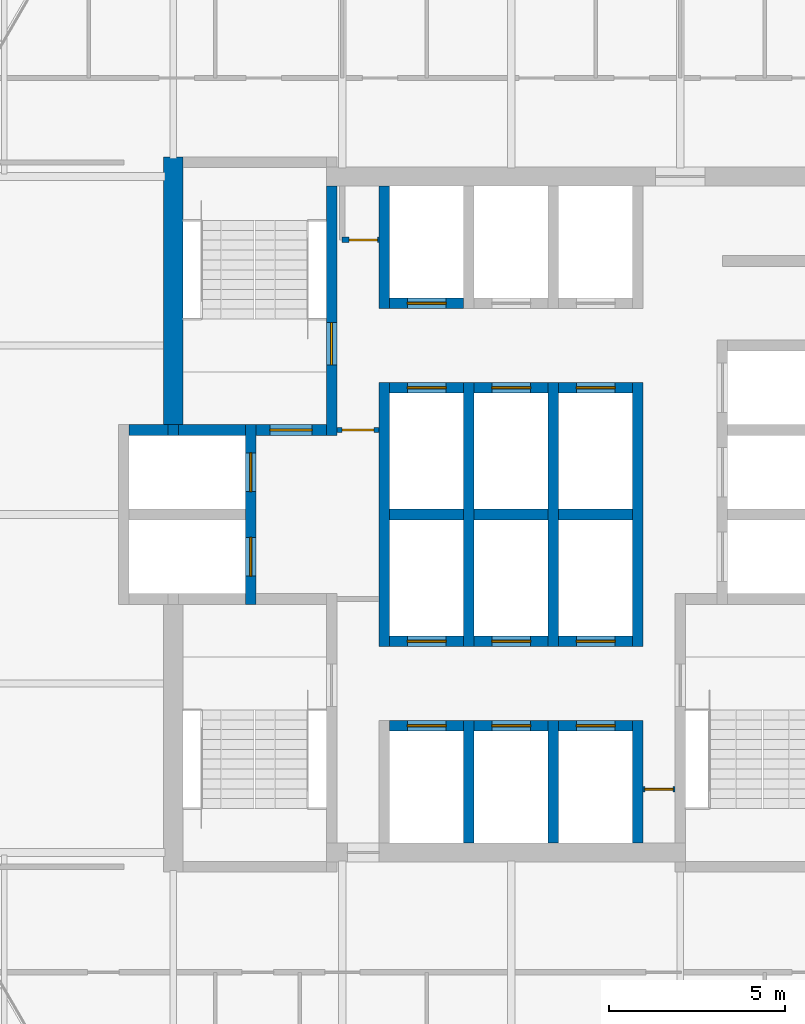
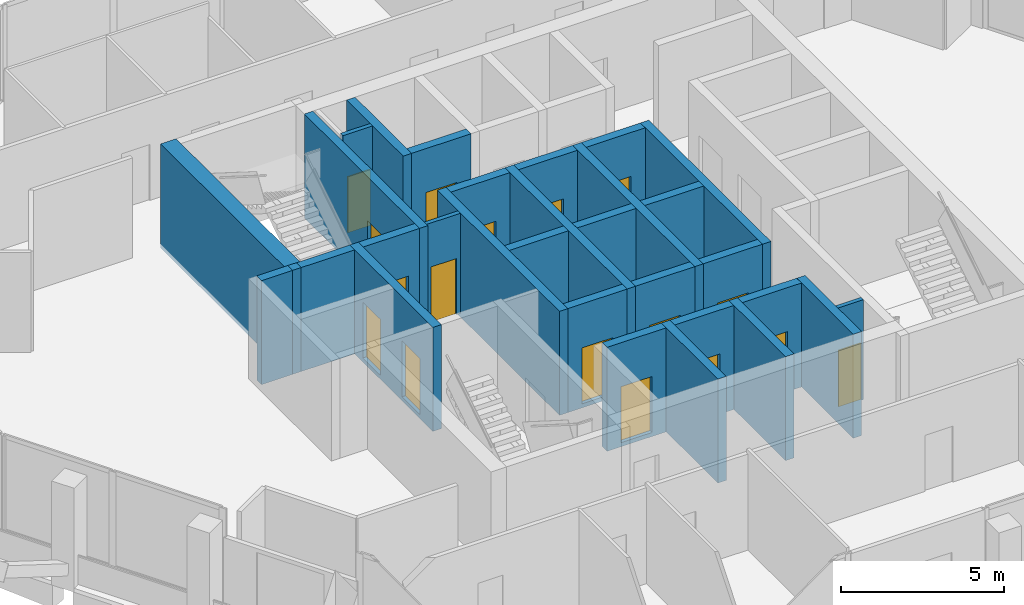
# One storey, part 8 of 14: 31 walls, 17 doors, 17 openings.
"""IFC4 building model written with IfcOpenShell, lengths in metres."""

from ifc_helpers import new_model, si_unit, direction, frame, frame_2d, origin, place, context, subcontext, project, spatial, rectangle, extrude, material, layer, layer_set, type_object, element, fill, save


model = new_model("IFC4")

# Units and contexts
model_context = context("Model", 3, precision=1e-05, world=origin(), true_north=direction((0.0, 1.0)))
body_context = subcontext(model_context, "Body", "Model", "MODEL_VIEW")
ifc_project = project(units=[si_unit("LENGTHUNIT", "METRE"), si_unit("AREAUNIT", "SQUARE_METRE"), si_unit("VOLUMEUNIT", "CUBIC_METRE"), si_unit("PLANEANGLEUNIT", "RADIAN"), si_unit("MASSUNIT", "GRAM", prefix="KILO")], contexts=[model_context])

# Site, building, storey
site_placement = place(None, origin())
site = spatial("IfcSite", under=ifc_project, at=site_placement, CompositionType="ELEMENT")
building_placement = place(site_placement, origin())
building = spatial("IfcBuilding", under=site, at=building_placement, Name="Kolab Exchange Tower", CompositionType="ELEMENT")
storey_placement = place(building_placement, frame((0.0, 0.0, 234.5)))
storey = spatial("IfcBuildingStorey", under=building, at=storey_placement, Name="L51", CompositionType="ELEMENT", Elevation=234.5)

# Wall
ifc_material_1 = material(Name="Concrete C50/60", Category="concrete")
ifc_layer_1 = layer(ifc_material_1, 0.550048828125)
ifc_layer_set_1 = layer_set([ifc_layer_1], Name="Concrete C50/60")
wall_type_1 = type_object("IfcWallType", Name="CORE WALL 550 C50/60", PredefinedType="SHEAR", material=ifc_layer_set_1)
wall_1_placement = place(storey_placement, frame((-9.60009765625, 2.550048828125, -0.14990234375), z_axis=(0.0, 0.0, 1.0), x_axis=(0.0, 1.0, 0.0)))
element("IfcWall", 1, at=wall_1_placement, inside=storey, type_object=wall_type_1, Name="wall/L51/core/037", PredefinedType="SHEAR", context=body_context, shape_type="SweptSolid", body=[
    extrude(rectangle(XDim=7.599853515625, YDim=0.550048828125, at=frame_2d((3.7998046875, 0.0))), origin(), (0.0, 0.0, 1.0), 3.89990234375),
])

# Wall, opening, door
ifc_layer_2 = layer(ifc_material_1, 0.300048828125)
ifc_layer_set_2 = layer_set([ifc_layer_2], Name="Concrete C50/60")
wall_type_2 = type_object("IfcWallType", Name="LIFT SHAFT WALL 300 C50/60", PredefinedType="STANDARD", material=ifc_layer_set_2)
wall_2_placement = place(storey_placement, frame((-3.449951171875, -6.0, -0.14990234375), z_axis=(0.0, 0.0, 1.0), x_axis=(1.0, 0.0, 0.0)))
wall_2 = element("IfcWall", 2, at=wall_2_placement, inside=storey, type_object=wall_type_2, Name="wall/L51/core/003", PredefinedType="STANDARD", context=body_context, shape_type="SweptSolid", body=[
    extrude(rectangle(XDim=2.099853515625, YDim=0.300048828125, at=frame_2d((1.0498046875, 0.0))), origin(), (0.0, 0.0, 1.0), 3.89990234375),
])
opening_1_placement = place(wall_2_placement, frame((0.5, 0.0, 0.14990234375)))
opening_1 = element("IfcOpeningElement", 3, at=opening_1_placement, cuts=wall_2, Name="Opening LD1-110", PredefinedType="OPENING", context=body_context, shape_type="SweptSolid", body=[
    extrude(rectangle(XDim=1.10009765625, YDim=2.10009765625, at=frame_2d((0.550048828125, 1.050048828125))), frame((0.0, 0.16015625, 0.0), z_axis=(0.0, -1.0, 0.0), x_axis=(1.0, 0.0, 0.0)), (0.0, 0.0, 1.0), 0.320068359375),
])
ifc_material_2 = material(Name="Stainless steel 316", Category="steel")
door_type_1 = type_object("IfcDoorType", Name="LANDING DOOR 1100 PASSENGER", OperationType="DOUBLE_DOOR_SLIDING", PredefinedType="DOOR", material=ifc_material_2)
door_1_placement = place(opening_1_placement, origin())
door_1 = element("IfcDoor", 4, at=door_1_placement, inside=storey, type_object=door_type_1, Name="Landing door HR10", OperationType="DOUBLE_DOOR_SLIDING", OverallHeight=2.10009765625, OverallWidth=1.10009765625, PredefinedType="DOOR", context=body_context, shape_type="SweptSolid", body=[
    extrude(rectangle(XDim=1.10009765625, YDim=2.10009765625, at=frame_2d((0.550048828125, 1.050048828125))), frame((0.0, 0.02490234375, 0.0), z_axis=(0.0, -1.0, 0.0), x_axis=(1.0, 0.0, 0.0)), (0.0, 0.0, 1.0), 0.050048828125),
])
fill(opening_1, door_1)

wall_3_placement = place(storey_placement, frame((-1.050048828125, -6.0, -0.14990234375), z_axis=(0.0, 0.0, 1.0), x_axis=(1.0, 0.0, 0.0)))
wall_3 = element("IfcWall", 5, at=wall_3_placement, inside=storey, type_object=wall_type_2, Name="wall/L51/core/004", PredefinedType="STANDARD", context=body_context, shape_type="SweptSolid", body=[
    extrude(rectangle(XDim=2.10009765625, YDim=0.300048828125, at=frame_2d((1.050048828125, 0.0))), origin(), (0.0, 0.0, 1.0), 3.89990234375),
])
opening_2_placement = place(wall_3_placement, frame((0.5, 0.0, 0.14990234375)))
opening_2 = element("IfcOpeningElement", 6, at=opening_2_placement, cuts=wall_3, Name="Opening LD1-111", PredefinedType="OPENING", context=body_context, shape_type="SweptSolid", body=[
    extrude(rectangle(XDim=1.10009765625, YDim=2.10009765625, at=frame_2d((0.550048828125, 1.050048828125))), frame((0.0, 0.16015625, 0.0), z_axis=(0.0, -1.0, 0.0), x_axis=(1.0, 0.0, 0.0)), (0.0, 0.0, 1.0), 0.320068359375),
])
door_2_placement = place(opening_2_placement, origin())
door_2 = element("IfcDoor", 7, at=door_2_placement, inside=storey, type_object=door_type_1, Name="Landing door HR11", OperationType="DOUBLE_DOOR_SLIDING", OverallHeight=2.10009765625, OverallWidth=1.10009765625, PredefinedType="DOOR", context=body_context, shape_type="SweptSolid", body=[
    extrude(rectangle(XDim=1.10009765625, YDim=2.10009765625, at=frame_2d((0.550048828125, 1.050048828125))), frame((0.0, 0.02490234375, 0.0), z_axis=(0.0, -1.0, 0.0), x_axis=(1.0, 0.0, 0.0)), (0.0, 0.0, 1.0), 0.050048828125),
])
fill(opening_2, door_2)

wall_4_placement = place(storey_placement, frame((1.35009765625, -6.0, -0.14990234375), z_axis=(0.0, 0.0, 1.0), x_axis=(1.0, 0.0, 0.0)))
wall_4 = element("IfcWall", 8, at=wall_4_placement, inside=storey, type_object=wall_type_2, Name="wall/L51/core/005", PredefinedType="STANDARD", context=body_context, shape_type="SweptSolid", body=[
    extrude(rectangle(XDim=2.099853515625, YDim=0.300048828125, at=frame_2d((1.0498046875, 0.0))), origin(), (0.0, 0.0, 1.0), 3.89990234375),
])
opening_3_placement = place(wall_4_placement, frame((0.5, 0.0, 0.14990234375)))
opening_3 = element("IfcOpeningElement", 9, at=opening_3_placement, cuts=wall_4, Name="Opening LD1-112", PredefinedType="OPENING", context=body_context, shape_type="SweptSolid", body=[
    extrude(rectangle(XDim=1.10009765625, YDim=2.10009765625, at=frame_2d((0.550048828125, 1.050048828125))), frame((0.0, 0.16015625, 0.0), z_axis=(0.0, -1.0, 0.0), x_axis=(1.0, 0.0, 0.0)), (0.0, 0.0, 1.0), 0.320068359375),
])
door_3_placement = place(opening_3_placement, origin())
door_3 = element("IfcDoor", 10, at=door_3_placement, inside=storey, type_object=door_type_1, Name="Landing door HR12", OperationType="DOUBLE_DOOR_SLIDING", OverallHeight=2.10009765625, OverallWidth=1.10009765625, PredefinedType="DOOR", context=body_context, shape_type="SweptSolid", body=[
    extrude(rectangle(XDim=1.10009765625, YDim=2.10009765625, at=frame_2d((0.550048828125, 1.050048828125))), frame((0.0, 0.02490234375, 0.0), z_axis=(0.0, -1.0, 0.0), x_axis=(1.0, 0.0, 0.0)), (0.0, 0.0, 1.0), 0.050048828125),
])
fill(opening_3, door_3)

wall_5_placement = place(storey_placement, frame((-3.449951171875, -3.60009765625, -0.14990234375), z_axis=(0.0, 0.0, 1.0), x_axis=(1.0, 0.0, 0.0)))
wall_5 = element("IfcWall", 11, at=wall_5_placement, inside=storey, type_object=wall_type_2, Name="wall/L51/core/006", PredefinedType="STANDARD", context=body_context, shape_type="SweptSolid", body=[
    extrude(rectangle(XDim=2.099853515625, YDim=0.300048828125, at=frame_2d((1.0498046875, 0.0))), origin(), (0.0, 0.0, 1.0), 3.89990234375),
])
opening_4_placement = place(wall_5_placement, frame((0.5, 0.0, 0.14990234375)))
opening_4 = element("IfcOpeningElement", 12, at=opening_4_placement, cuts=wall_5, Name="Opening LD1-118", PredefinedType="OPENING", context=body_context, shape_type="SweptSolid", body=[
    extrude(rectangle(XDim=1.10009765625, YDim=2.10009765625, at=frame_2d((0.550048828125, 1.050048828125))), frame((0.0, 0.16015625, 0.0), z_axis=(0.0, -1.0, 0.0), x_axis=(1.0, 0.0, 0.0)), (0.0, 0.0, 1.0), 0.320068359375),
])
door_4_placement = place(opening_4_placement, origin())
door_4 = element("IfcDoor", 13, at=door_4_placement, inside=storey, type_object=door_type_1, Name="Landing door HR7", OperationType="DOUBLE_DOOR_SLIDING", OverallHeight=2.10009765625, OverallWidth=1.10009765625, PredefinedType="DOOR", context=body_context, shape_type="SweptSolid", body=[
    extrude(rectangle(XDim=1.10009765625, YDim=2.10009765625, at=frame_2d((0.550048828125, 1.050048828125))), frame((0.0, 0.02490234375, 0.0), z_axis=(0.0, -1.0, 0.0), x_axis=(1.0, 0.0, 0.0)), (0.0, 0.0, 1.0), 0.050048828125),
])
fill(opening_4, door_4)

wall_6_placement = place(storey_placement, frame((-1.050048828125, -3.60009765625, -0.14990234375), z_axis=(0.0, 0.0, 1.0), x_axis=(1.0, 0.0, 0.0)))
wall_6 = element("IfcWall", 14, at=wall_6_placement, inside=storey, type_object=wall_type_2, Name="wall/L51/core/007", PredefinedType="STANDARD", context=body_context, shape_type="SweptSolid", body=[
    extrude(rectangle(XDim=2.10009765625, YDim=0.300048828125, at=frame_2d((1.050048828125, 0.0))), origin(), (0.0, 0.0, 1.0), 3.89990234375),
])
opening_5_placement = place(wall_6_placement, frame((0.5, 0.0, 0.14990234375)))
opening_5 = element("IfcOpeningElement", 15, at=opening_5_placement, cuts=wall_6, Name="Opening LD1-119", PredefinedType="OPENING", context=body_context, shape_type="SweptSolid", body=[
    extrude(rectangle(XDim=1.10009765625, YDim=2.10009765625, at=frame_2d((0.550048828125, 1.050048828125))), frame((0.0, 0.16015625, 0.0), z_axis=(0.0, -1.0, 0.0), x_axis=(1.0, 0.0, 0.0)), (0.0, 0.0, 1.0), 0.320068359375),
])
door_5_placement = place(opening_5_placement, origin())
door_5 = element("IfcDoor", 16, at=door_5_placement, inside=storey, type_object=door_type_1, Name="Landing door HR8", OperationType="DOUBLE_DOOR_SLIDING", OverallHeight=2.10009765625, OverallWidth=1.10009765625, PredefinedType="DOOR", context=body_context, shape_type="SweptSolid", body=[
    extrude(rectangle(XDim=1.10009765625, YDim=2.10009765625, at=frame_2d((0.550048828125, 1.050048828125))), frame((0.0, 0.02490234375, 0.0), z_axis=(0.0, -1.0, 0.0), x_axis=(1.0, 0.0, 0.0)), (0.0, 0.0, 1.0), 0.050048828125),
])
fill(opening_5, door_5)

wall_7_placement = place(storey_placement, frame((1.35009765625, -3.60009765625, -0.14990234375), z_axis=(0.0, 0.0, 1.0), x_axis=(1.0, 0.0, 0.0)))
wall_7 = element("IfcWall", 17, at=wall_7_placement, inside=storey, type_object=wall_type_2, Name="wall/L51/core/008", PredefinedType="STANDARD", context=body_context, shape_type="SweptSolid", body=[
    extrude(rectangle(XDim=2.099853515625, YDim=0.300048828125, at=frame_2d((1.0498046875, 0.0))), origin(), (0.0, 0.0, 1.0), 3.89990234375),
])
opening_6_placement = place(wall_7_placement, frame((0.5, 0.0, 0.14990234375)))
opening_6 = element("IfcOpeningElement", 18, at=opening_6_placement, cuts=wall_7, Name="Opening LD1-120", PredefinedType="OPENING", context=body_context, shape_type="SweptSolid", body=[
    extrude(rectangle(XDim=1.10009765625, YDim=2.10009765625, at=frame_2d((0.550048828125, 1.050048828125))), frame((0.0, 0.16015625, 0.0), z_axis=(0.0, -1.0, 0.0), x_axis=(1.0, 0.0, 0.0)), (0.0, 0.0, 1.0), 0.320068359375),
])
door_6_placement = place(opening_6_placement, origin())
door_6 = element("IfcDoor", 19, at=door_6_placement, inside=storey, type_object=door_type_1, Name="Landing door HR9", OperationType="DOUBLE_DOOR_SLIDING", OverallHeight=2.10009765625, OverallWidth=1.10009765625, PredefinedType="DOOR", context=body_context, shape_type="SweptSolid", body=[
    extrude(rectangle(XDim=1.10009765625, YDim=2.10009765625, at=frame_2d((0.550048828125, 1.050048828125))), frame((0.0, 0.02490234375, 0.0), z_axis=(0.0, -1.0, 0.0), x_axis=(1.0, 0.0, 0.0)), (0.0, 0.0, 1.0), 0.050048828125),
])
fill(opening_6, door_6)

# Walls
wall_8_placement = place(storey_placement, frame((-3.449951171875, 0.0, -0.14990234375), z_axis=(0.0, 0.0, 1.0), x_axis=(1.0, 0.0, 0.0)))
element("IfcWall", 20, at=wall_8_placement, inside=storey, type_object=wall_type_2, Name="wall/L51/core/015", PredefinedType="STANDARD", context=body_context, shape_type="SweptSolid", body=[
    extrude(rectangle(XDim=2.099853515625, YDim=0.300048828125, at=frame_2d((1.0498046875, 0.0))), origin(), (0.0, 0.0, 1.0), 3.89990234375),
])
wall_9_placement = place(storey_placement, frame((-1.050048828125, 0.0, -0.14990234375), z_axis=(0.0, 0.0, 1.0), x_axis=(1.0, 0.0, 0.0)))
element("IfcWall", 21, at=wall_9_placement, inside=storey, type_object=wall_type_2, Name="wall/L51/core/016", PredefinedType="STANDARD", context=body_context, shape_type="SweptSolid", body=[
    extrude(rectangle(XDim=2.10009765625, YDim=0.300048828125, at=frame_2d((1.050048828125, 0.0))), origin(), (0.0, 0.0, 1.0), 3.89990234375),
])
wall_10_placement = place(storey_placement, frame((1.35009765625, 0.0, -0.14990234375), z_axis=(0.0, 0.0, 1.0), x_axis=(1.0, 0.0, 0.0)))
element("IfcWall", 22, at=wall_10_placement, inside=storey, type_object=wall_type_2, Name="wall/L51/core/017", PredefinedType="STANDARD", context=body_context, shape_type="SweptSolid", body=[
    extrude(rectangle(XDim=2.099853515625, YDim=0.300048828125, at=frame_2d((1.0498046875, 0.0))), origin(), (0.0, 0.0, 1.0), 3.89990234375),
])
wall_11_placement = place(storey_placement, frame((-10.85009765625, 2.39990234375, -0.14990234375), z_axis=(0.0, 0.0, 1.0), x_axis=(1.0, 0.0, 0.0)))
element("IfcWall", 23, at=wall_11_placement, inside=storey, type_object=wall_type_2, Name="wall/L51/core/019", PredefinedType="STANDARD", context=body_context, shape_type="SweptSolid", body=[
    extrude(rectangle(XDim=1.10009765625, YDim=0.300048828125, at=frame_2d((0.550048828125, 0.0))), origin(), (0.0, 0.0, 1.0), 3.89990234375),
])

# Wall, opening, door
wall_12_placement = place(storey_placement, frame((-3.449951171875, 3.60009765625, -0.14990234375), z_axis=(0.0, 0.0, 1.0), x_axis=(1.0, 0.0, 0.0)))
wall_12 = element("IfcWall", 24, at=wall_12_placement, inside=storey, type_object=wall_type_2, Name="wall/L51/core/023", PredefinedType="STANDARD", context=body_context, shape_type="SweptSolid", body=[
    extrude(rectangle(XDim=2.099853515625, YDim=0.300048828125, at=frame_2d((1.0498046875, 0.0))), origin(), (0.0, 0.0, 1.0), 3.89990234375),
])
opening_7_placement = place(wall_12_placement, frame((0.5, 0.0, 0.14990234375)))
opening_7 = element("IfcOpeningElement", 25, at=opening_7_placement, cuts=wall_12, Name="Opening LD1-115", PredefinedType="OPENING", context=body_context, shape_type="SweptSolid", body=[
    extrude(rectangle(XDim=1.10009765625, YDim=2.10009765625, at=frame_2d((0.550048828125, 1.050048828125))), frame((0.0, 0.16015625, 0.0), z_axis=(0.0, -1.0, 0.0), x_axis=(1.0, 0.0, 0.0)), (0.0, 0.0, 1.0), 0.320068359375),
])
door_7_placement = place(opening_7_placement, origin())
door_7 = element("IfcDoor", 26, at=door_7_placement, inside=storey, type_object=door_type_1, Name="Landing door HR4", OperationType="DOUBLE_DOOR_SLIDING", OverallHeight=2.10009765625, OverallWidth=1.10009765625, PredefinedType="DOOR", context=body_context, shape_type="SweptSolid", body=[
    extrude(rectangle(XDim=1.10009765625, YDim=2.10009765625, at=frame_2d((0.550048828125, 1.050048828125))), frame((0.0, 0.02490234375, 0.0), z_axis=(0.0, -1.0, 0.0), x_axis=(1.0, 0.0, 0.0)), (0.0, 0.0, 1.0), 0.050048828125),
])
fill(opening_7, door_7)

wall_13_placement = place(storey_placement, frame((-1.050048828125, 3.60009765625, -0.14990234375), z_axis=(0.0, 0.0, 1.0), x_axis=(1.0, 0.0, 0.0)))
wall_13 = element("IfcWall", 27, at=wall_13_placement, inside=storey, type_object=wall_type_2, Name="wall/L51/core/024", PredefinedType="STANDARD", context=body_context, shape_type="SweptSolid", body=[
    extrude(rectangle(XDim=2.10009765625, YDim=0.300048828125, at=frame_2d((1.050048828125, 0.0))), origin(), (0.0, 0.0, 1.0), 3.89990234375),
])
opening_8_placement = place(wall_13_placement, frame((0.5, 0.0, 0.14990234375)))
opening_8 = element("IfcOpeningElement", 28, at=opening_8_placement, cuts=wall_13, Name="Opening LD1-116", PredefinedType="OPENING", context=body_context, shape_type="SweptSolid", body=[
    extrude(rectangle(XDim=1.10009765625, YDim=2.10009765625, at=frame_2d((0.550048828125, 1.050048828125))), frame((0.0, 0.16015625, 0.0), z_axis=(0.0, -1.0, 0.0), x_axis=(1.0, 0.0, 0.0)), (0.0, 0.0, 1.0), 0.320068359375),
])
door_8_placement = place(opening_8_placement, origin())
door_8 = element("IfcDoor", 29, at=door_8_placement, inside=storey, type_object=door_type_1, Name="Landing door HR5", OperationType="DOUBLE_DOOR_SLIDING", OverallHeight=2.10009765625, OverallWidth=1.10009765625, PredefinedType="DOOR", context=body_context, shape_type="SweptSolid", body=[
    extrude(rectangle(XDim=1.10009765625, YDim=2.10009765625, at=frame_2d((0.550048828125, 1.050048828125))), frame((0.0, 0.02490234375, 0.0), z_axis=(0.0, -1.0, 0.0), x_axis=(1.0, 0.0, 0.0)), (0.0, 0.0, 1.0), 0.050048828125),
])
fill(opening_8, door_8)

wall_14_placement = place(storey_placement, frame((1.35009765625, 3.60009765625, -0.14990234375), z_axis=(0.0, 0.0, 1.0), x_axis=(1.0, 0.0, 0.0)))
wall_14 = element("IfcWall", 30, at=wall_14_placement, inside=storey, type_object=wall_type_2, Name="wall/L51/core/025", PredefinedType="STANDARD", context=body_context, shape_type="SweptSolid", body=[
    extrude(rectangle(XDim=2.099853515625, YDim=0.300048828125, at=frame_2d((1.0498046875, 0.0))), origin(), (0.0, 0.0, 1.0), 3.89990234375),
])
opening_9_placement = place(wall_14_placement, frame((0.5, 0.0, 0.14990234375)))
opening_9 = element("IfcOpeningElement", 31, at=opening_9_placement, cuts=wall_14, Name="Opening LD1-117", PredefinedType="OPENING", context=body_context, shape_type="SweptSolid", body=[
    extrude(rectangle(XDim=1.10009765625, YDim=2.10009765625, at=frame_2d((0.550048828125, 1.050048828125))), frame((0.0, 0.16015625, 0.0), z_axis=(0.0, -1.0, 0.0), x_axis=(1.0, 0.0, 0.0)), (0.0, 0.0, 1.0), 0.320068359375),
])
door_9_placement = place(opening_9_placement, origin())
door_9 = element("IfcDoor", 32, at=door_9_placement, inside=storey, type_object=door_type_1, Name="Landing door HR6", OperationType="DOUBLE_DOOR_SLIDING", OverallHeight=2.10009765625, OverallWidth=1.10009765625, PredefinedType="DOOR", context=body_context, shape_type="SweptSolid", body=[
    extrude(rectangle(XDim=1.10009765625, YDim=2.10009765625, at=frame_2d((0.550048828125, 1.050048828125))), frame((0.0, 0.02490234375, 0.0), z_axis=(0.0, -1.0, 0.0), x_axis=(1.0, 0.0, 0.0)), (0.0, 0.0, 1.0), 0.050048828125),
])
fill(opening_9, door_9)

wall_15_placement = place(storey_placement, frame((-3.449951171875, 6.0, -0.14990234375), z_axis=(0.0, 0.0, 1.0), x_axis=(1.0, 0.0, 0.0)))
wall_15 = element("IfcWall", 33, at=wall_15_placement, inside=storey, type_object=wall_type_2, Name="wall/L51/core/027", PredefinedType="STANDARD", context=body_context, shape_type="SweptSolid", body=[
    extrude(rectangle(XDim=2.099853515625, YDim=0.300048828125, at=frame_2d((1.0498046875, 0.0))), origin(), (0.0, 0.0, 1.0), 3.89990234375),
])
opening_10_placement = place(wall_15_placement, frame((0.5, 0.0, 0.14990234375)))
opening_10 = element("IfcOpeningElement", 34, at=opening_10_placement, cuts=wall_15, Name="Opening LD1-109", PredefinedType="OPENING", context=body_context, shape_type="SweptSolid", body=[
    extrude(rectangle(XDim=1.10009765625, YDim=2.10009765625, at=frame_2d((0.550048828125, 1.050048828125))), frame((0.0, 0.16015625, 0.0), z_axis=(0.0, -1.0, 0.0), x_axis=(1.0, 0.0, 0.0)), (0.0, 0.0, 1.0), 0.320068359375),
])
door_10_placement = place(opening_10_placement, origin())
door_10 = element("IfcDoor", 35, at=door_10_placement, inside=storey, type_object=door_type_1, Name="Landing door HR1", OperationType="DOUBLE_DOOR_SLIDING", OverallHeight=2.10009765625, OverallWidth=1.10009765625, PredefinedType="DOOR", context=body_context, shape_type="SweptSolid", body=[
    extrude(rectangle(XDim=1.10009765625, YDim=2.10009765625, at=frame_2d((0.550048828125, 1.050048828125))), frame((0.0, 0.02490234375, 0.0), z_axis=(0.0, -1.0, 0.0), x_axis=(1.0, 0.0, 0.0)), (0.0, 0.0, 1.0), 0.050048828125),
])
fill(opening_10, door_10)

# Wall, openings, doors
wall_16_placement = place(storey_placement, frame((-7.39990234375, -2.550048828125, -0.14990234375), z_axis=(0.0, 0.0, 1.0), x_axis=(0.0, 1.0, 0.0)))
wall_16 = element("IfcWall", 36, at=wall_16_placement, inside=storey, type_object=wall_type_2, Name="wall/L51/core/038", PredefinedType="STANDARD", context=body_context, shape_type="SweptSolid", body=[
    extrude(rectangle(XDim=5.10009765625, YDim=0.300048828125, at=frame_2d((2.550048828125, 0.0))), origin(), (0.0, 0.0, 1.0), 3.89990234375),
])
opening_11_placement = place(wall_16_placement, frame((0.800048828125, 0.0, 0.14990234375)))
opening_11 = element("IfcOpeningElement", 37, at=opening_11_placement, cuts=wall_16, Name="Opening LD2-025", PredefinedType="OPENING", context=body_context, shape_type="SweptSolid", body=[
    extrude(rectangle(XDim=1.10009765625, YDim=2.10009765625, at=frame_2d((0.550048828125, 1.050048828125))), frame((0.0, 0.16015625, 0.0), z_axis=(0.0, -1.0, 0.0), x_axis=(1.0, 0.0, 0.0)), (0.0, 0.0, 1.0), 0.320068359375),
])
opening_12_placement = place(wall_16_placement, frame((3.199951171875, 0.0, 0.14990234375)))
opening_12 = element("IfcOpeningElement", 38, at=opening_12_placement, cuts=wall_16, Name="Opening LD2-026", PredefinedType="OPENING", context=body_context, shape_type="SweptSolid", body=[
    extrude(rectangle(XDim=1.10009765625, YDim=2.10009765625, at=frame_2d((0.550048828125, 1.050048828125))), frame((0.0, 0.16015625, 0.0), z_axis=(0.0, -1.0, 0.0), x_axis=(1.0, 0.0, 0.0)), (0.0, 0.0, 1.0), 0.320068359375),
])
door_type_2 = type_object("IfcDoorType", Name="LANDING DOOR 1100 FIREFIGHTING", OperationType="DOUBLE_DOOR_SLIDING", PredefinedType="DOOR", material=ifc_material_2)
door_11_placement = place(opening_11_placement, origin())
door_11 = element("IfcDoor", 39, at=door_11_placement, inside=storey, type_object=door_type_2, Name="Landing door FF1", OperationType="DOUBLE_DOOR_SLIDING", OverallHeight=2.10009765625, OverallWidth=1.10009765625, PredefinedType="DOOR", context=body_context, shape_type="SweptSolid", body=[
    extrude(rectangle(XDim=1.10009765625, YDim=2.10009765625, at=frame_2d((0.550048828125, 1.050048828125))), frame((0.0, 0.02490234375, 0.0), z_axis=(0.0, -1.0, 0.0), x_axis=(1.0, 0.0, 0.0)), (0.0, 0.0, 1.0), 0.050048828125),
])
fill(opening_11, door_11)
door_12_placement = place(opening_12_placement, origin())
door_12 = element("IfcDoor", 40, at=door_12_placement, inside=storey, type_object=door_type_2, Name="Landing door FF2", OperationType="DOUBLE_DOOR_SLIDING", OverallHeight=2.10009765625, OverallWidth=1.10009765625, PredefinedType="DOOR", context=body_context, shape_type="SweptSolid", body=[
    extrude(rectangle(XDim=1.10009765625, YDim=2.10009765625, at=frame_2d((0.550048828125, 1.050048828125))), frame((0.0, 0.02490234375, 0.0), z_axis=(0.0, -1.0, 0.0), x_axis=(1.0, 0.0, 0.0)), (0.0, 0.0, 1.0), 0.050048828125),
])
fill(opening_12, door_12)

# Walls
wall_17_placement = place(storey_placement, frame((-3.60009765625, -3.75, -0.14990234375), z_axis=(0.0, 0.0, 1.0), x_axis=(0.0, 1.0, 0.0)))
element("IfcWall", 41, at=wall_17_placement, inside=storey, type_object=wall_type_2, Name="wall/L51/core/044", PredefinedType="STANDARD", context=body_context, shape_type="SweptSolid", body=[
    extrude(rectangle(XDim=7.5, YDim=0.300048828125, at=frame_2d((3.75, 0.0))), origin(), (0.0, 0.0, 1.0), 3.89990234375),
])
for number, where, z_axis, x_axis, name in (
    (42, (-3.60009765625, 5.85009765625, -0.14990234375), (0.0, 0.0, 1.0), (0.0, 1.0, 0.0), "wall/L51/core/045"),
    (43, (-1.199951171875, -9.324951171875, -0.14990234375), (0.0, 0.0, 1.0), (0.0, 1.0, 0.0), "wall/L51/core/046"),
):
    element("IfcWall", number, at=place(storey_placement, frame(where, z_axis=z_axis, x_axis=x_axis)), inside=storey, type_object=wall_type_2, Name=name, PredefinedType="STANDARD", context=body_context, shape_type="SweptSolid", body=[
        extrude(rectangle(XDim=3.474853515625, YDim=0.300048828125, at=frame_2d((1.7373046875, 0.0))), origin(), (0.0, 0.0, 1.0), 3.89990234375),
    ])
wall_18_placement = place(storey_placement, frame((-1.199951171875, -3.75, -0.14990234375), z_axis=(0.0, 0.0, 1.0), x_axis=(0.0, 1.0, 0.0)))
element("IfcWall", 44, at=wall_18_placement, inside=storey, type_object=wall_type_2, Name="wall/L51/core/047", PredefinedType="STANDARD", context=body_context, shape_type="SweptSolid", body=[
    extrude(rectangle(XDim=7.5, YDim=0.300048828125, at=frame_2d((3.75, 0.0))), origin(), (0.0, 0.0, 1.0), 3.89990234375),
])
wall_19_placement = place(storey_placement, frame((1.199951171875, -9.324951171875, -0.14990234375), z_axis=(0.0, 0.0, 1.0), x_axis=(0.0, 1.0, 0.0)))
element("IfcWall", 45, at=wall_19_placement, inside=storey, type_object=wall_type_2, Name="wall/L51/core/049", PredefinedType="STANDARD", context=body_context, shape_type="SweptSolid", body=[
    extrude(rectangle(XDim=3.474853515625, YDim=0.300048828125, at=frame_2d((1.7373046875, 0.0))), origin(), (0.0, 0.0, 1.0), 3.89990234375),
])
wall_20_placement = place(storey_placement, frame((1.199951171875, -3.75, -0.14990234375), z_axis=(0.0, 0.0, 1.0), x_axis=(0.0, 1.0, 0.0)))
element("IfcWall", 46, at=wall_20_placement, inside=storey, type_object=wall_type_2, Name="wall/L51/core/050", PredefinedType="STANDARD", context=body_context, shape_type="SweptSolid", body=[
    extrude(rectangle(XDim=7.5, YDim=0.300048828125, at=frame_2d((3.75, 0.0))), origin(), (0.0, 0.0, 1.0), 3.89990234375),
])
wall_21_placement = place(storey_placement, frame((3.60009765625, -9.324951171875, -0.14990234375), z_axis=(0.0, 0.0, 1.0), x_axis=(0.0, 1.0, 0.0)))
element("IfcWall", 47, at=wall_21_placement, inside=storey, type_object=wall_type_2, Name="wall/L51/core/052", PredefinedType="STANDARD", context=body_context, shape_type="SweptSolid", body=[
    extrude(rectangle(XDim=3.474853515625, YDim=0.300048828125, at=frame_2d((1.7373046875, 0.0))), origin(), (0.0, 0.0, 1.0), 3.89990234375),
])
wall_22_placement = place(storey_placement, frame((3.60009765625, -3.75, -0.14990234375), z_axis=(0.0, 0.0, 1.0), x_axis=(0.0, 1.0, 0.0)))
element("IfcWall", 48, at=wall_22_placement, inside=storey, type_object=wall_type_2, Name="wall/L51/core/053", PredefinedType="STANDARD", context=body_context, shape_type="SweptSolid", body=[
    extrude(rectangle(XDim=7.5, YDim=0.300048828125, at=frame_2d((3.75, 0.0))), origin(), (0.0, 0.0, 1.0), 3.89990234375),
])

# Wall, opening, door
ifc_material_3 = material(Name="Gypsum board", Category="gypsum")
ifc_layer_3 = layer(ifc_material_3, 0.14990234375)
ifc_layer_set_3 = layer_set([ifc_layer_3], Name="Gypsum board")
wall_type_3 = type_object("IfcWallType", Name="PARTITION 150 FIRE-RATED", PredefinedType="PARTITIONING", material=ifc_layer_set_3)
wall_23_placement = place(storey_placement, frame((3.75, -7.800048828125, 0.0), z_axis=(0.0, 0.0, 1.0), x_axis=(1.0, 0.0, 0.0)))
wall_23 = element("IfcWall", 49, at=wall_23_placement, inside=storey, type_object=wall_type_3, Name="Partition 025", PredefinedType="PARTITIONING", context=body_context, shape_type="SweptSolid", body=[
    extrude(rectangle(XDim=0.89990234375, YDim=0.14990234375, at=frame_2d((0.449951171875, 0.0))), origin(), (0.0, 0.0, 1.0), 3.75),
])
opening_13_placement = place(wall_23_placement, frame((0.050048828125, 0.0, 0.0)))
opening_13 = element("IfcOpeningElement", 50, at=opening_13_placement, cuts=wall_23, Name="Opening D7-040", PredefinedType="OPENING", context=body_context, shape_type="SweptSolid", body=[
    extrude(rectangle(XDim=0.800048828125, YDim=2.10009765625, at=frame_2d((0.39990234375, 1.050048828125))), frame((0.0, 0.0849609375, 0.0), z_axis=(0.0, -1.0, 0.0), x_axis=(1.0, 0.0, 0.0)), (0.0, 0.0, 1.0), 0.169921875),
])
ifc_material_4 = material(Name="Steel S235", Category="steel")
door_type_3 = type_object("IfcDoorType", Name="FLUSH DOOR 800 FD60", OperationType="SINGLE_SWING_LEFT", PredefinedType="DOOR", material=ifc_material_4)
door_13_placement = place(opening_13_placement, frame((0.800048828125, 0.0, 0.0), z_axis=(0.0, 0.0, 1.0), x_axis=(-1.0, 0.0, 0.0)))
door_13 = element("IfcDoor", 51, at=door_13_placement, inside=storey, type_object=door_type_3, Name="Door L51-024", OperationType="SINGLE_SWING_RIGHT", OverallHeight=2.10009765625, OverallWidth=0.800048828125, PredefinedType="DOOR", context=body_context, shape_type="SweptSolid", body=[
    extrude(rectangle(XDim=0.800048828125, YDim=2.10009765625, at=frame_2d((0.39990234375, 1.050048828125))), frame((0.0, 0.02490234375, 0.0), z_axis=(0.0, -1.0, 0.0), x_axis=(1.0, 0.0, 0.0)), (0.0, 0.0, 1.0), 0.050048828125),
])
fill(opening_13, door_13)

wall_24_placement = place(storey_placement, frame((-4.800048828125, 7.800048828125, 0.0), z_axis=(0.0, 0.0, 1.0), x_axis=(1.0, 0.0, 0.0)))
wall_24 = element("IfcWall", 52, at=wall_24_placement, inside=storey, type_object=wall_type_3, Name="Partition 026", PredefinedType="PARTITIONING", context=body_context, shape_type="SweptSolid", body=[
    extrude(rectangle(XDim=1.050048828125, YDim=0.14990234375, at=frame_2d((0.52490234375, 0.0))), origin(), (0.0, 0.0, 1.0), 3.75),
])
opening_14_placement = place(wall_24_placement, frame((0.199951171875, 0.0, 0.0)))
opening_14 = element("IfcOpeningElement", 53, at=opening_14_placement, cuts=wall_24, Name="Opening D7-030", PredefinedType="OPENING", context=body_context, shape_type="SweptSolid", body=[
    extrude(rectangle(XDim=0.800048828125, YDim=2.10009765625, at=frame_2d((0.39990234375, 1.050048828125))), frame((0.0, 0.0849609375, 0.0), z_axis=(0.0, -1.0, 0.0), x_axis=(1.0, 0.0, 0.0)), (0.0, 0.0, 1.0), 0.169921875),
])
door_14_placement = place(opening_14_placement, origin())
door_14 = element("IfcDoor", 54, at=door_14_placement, inside=storey, type_object=door_type_3, Name="Door L51-023", OperationType="SINGLE_SWING_RIGHT", OverallHeight=2.10009765625, OverallWidth=0.800048828125, PredefinedType="DOOR", context=body_context, shape_type="SweptSolid", body=[
    extrude(rectangle(XDim=0.800048828125, YDim=2.10009765625, at=frame_2d((0.39990234375, 1.050048828125))), frame((0.0, 0.02490234375, 0.0), z_axis=(0.0, -1.0, 0.0), x_axis=(1.0, 0.0, 0.0)), (0.0, 0.0, 1.0), 0.050048828125),
])
fill(opening_14, door_14)

wall_25_placement = place(storey_placement, frame((-4.949951171875, 2.39990234375, 0.0), z_axis=(0.0, 0.0, 1.0), x_axis=(1.0, 0.0, 0.0)))
wall_25 = element("IfcWall", 55, at=wall_25_placement, inside=storey, type_object=wall_type_3, Name="Fire partition", PredefinedType="PARTITIONING", context=body_context, shape_type="SweptSolid", body=[
    extrude(rectangle(XDim=1.199951171875, YDim=0.14990234375, at=frame_2d((0.60009765625, 0.0))), origin(), (0.0, 0.0, 1.0), 3.75),
])
opening_15_placement = place(wall_25_placement, frame((0.14990234375, 0.0, 0.0)))
opening_15 = element("IfcOpeningElement", 56, at=opening_15_placement, cuts=wall_25, Name="Opening D6-288", PredefinedType="OPENING", context=body_context, shape_type="SweptSolid", body=[
    extrude(rectangle(XDim=0.89990234375, YDim=2.10009765625, at=frame_2d((0.449951171875, 1.050048828125))), frame((0.0, 0.0849609375, 0.0), z_axis=(0.0, -1.0, 0.0), x_axis=(1.0, 0.0, 0.0)), (0.0, 0.0, 1.0), 0.169921875),
])
door_type_4 = type_object("IfcDoorType", Name="CORE DOOR 900 EI 120", OperationType="SINGLE_SWING_LEFT", PredefinedType="DOOR", material=ifc_material_4)
door_15_placement = place(opening_15_placement, frame((0.89990234375, 0.0, 0.0), z_axis=(0.0, 0.0, 1.0), x_axis=(-1.0, 0.0, 0.0)))
door_15 = element("IfcDoor", 57, at=door_15_placement, inside=storey, type_object=door_type_4, Name="Firefighting lobby door", OperationType="SINGLE_SWING_RIGHT", OverallHeight=2.10009765625, OverallWidth=0.89990234375, PredefinedType="DOOR", context=body_context, shape_type="SweptSolid", body=[
    extrude(rectangle(XDim=0.89990234375, YDim=2.10009765625, at=frame_2d((0.449951171875, 1.050048828125))), frame((0.0, 0.02490234375, 0.0), z_axis=(0.0, -1.0, 0.0), x_axis=(1.0, 0.0, 0.0)), (0.0, 0.0, 1.0), 0.050048828125),
])
fill(opening_15, door_15)

# Wall
ifc_layer_4 = layer(ifc_material_1, 0.300048828125)
ifc_layer_set_4 = layer_set([ifc_layer_4], Name="Concrete C50/60")
wall_type_4 = type_object("IfcWallType", Name="STAIR ENCLOSURE WALL 300 C50/60", PredefinedType="STANDARD", material=ifc_layer_set_4)
wall_26_placement = place(storey_placement, frame((-9.449951171875, 2.39990234375, -0.14990234375), z_axis=(0.0, 0.0, 1.0), x_axis=(1.0, 0.0, 0.0)))
element("IfcWall", 58, at=wall_26_placement, inside=storey, type_object=wall_type_4, Name="wall/L51/core/020", PredefinedType="STANDARD", context=body_context, shape_type="SweptSolid", body=[
    extrude(rectangle(XDim=1.89990234375, YDim=0.300048828125, at=frame_2d((0.949951171875, 0.0))), origin(), (0.0, 0.0, 1.0), 3.89990234375),
])

# Wall, opening, door
wall_27_placement = place(storey_placement, frame((-7.25, 2.39990234375, -0.14990234375), z_axis=(0.0, 0.0, 1.0), x_axis=(1.0, 0.0, 0.0)))
wall_27 = element("IfcWall", 59, at=wall_27_placement, inside=storey, type_object=wall_type_4, Name="wall/L51/core/021", PredefinedType="STANDARD", context=body_context, shape_type="SweptSolid", body=[
    extrude(rectangle(XDim=2.0, YDim=0.300048828125, at=frame_2d((1.0, 0.0))), origin(), (0.0, 0.0, 1.0), 3.89990234375),
])
opening_16_placement = place(wall_27_placement, frame((0.39990234375, 0.0, 0.14990234375)))
opening_16 = element("IfcOpeningElement", 60, at=opening_16_placement, cuts=wall_27, Name="Opening D4-065", PredefinedType="OPENING", context=body_context, shape_type="SweptSolid", body=[
    extrude(rectangle(XDim=1.199951171875, YDim=2.10009765625, at=frame_2d((0.60009765625, 1.050048828125))), frame((0.0, 0.16015625, 0.0), z_axis=(0.0, -1.0, 0.0), x_axis=(1.0, 0.0, 0.0)), (0.0, 0.0, 1.0), 0.320068359375),
])
door_type_5 = type_object("IfcDoorType", Name="STAIR DOOR 1200 EI 120", OperationType="SINGLE_SWING_LEFT", PredefinedType="DOOR", material=ifc_material_4)
door_16_placement = place(opening_16_placement, origin())
door_16 = element("IfcDoor", 61, at=door_16_placement, inside=storey, type_object=door_type_5, Name="Stair 1 door", OperationType="SINGLE_SWING_RIGHT", OverallHeight=2.10009765625, OverallWidth=1.199951171875, PredefinedType="DOOR", context=body_context, shape_type="SweptSolid", body=[
    extrude(rectangle(XDim=1.199951171875, YDim=2.10009765625, at=frame_2d((0.60009765625, 1.050048828125))), frame((0.0, 0.02490234375, 0.0), z_axis=(0.0, -1.0, 0.0), x_axis=(1.0, 0.0, 0.0)), (0.0, 0.0, 1.0), 0.050048828125),
])
fill(opening_16, door_16)

# Wall
wall_28_placement = place(storey_placement, frame((-9.60009765625, 2.25, -0.14990234375), z_axis=(0.0, 0.0, 1.0), x_axis=(0.0, 1.0, 0.0)))
element("IfcWall", 62, at=wall_28_placement, inside=storey, type_object=wall_type_4, Name="wall/L51/core/036", PredefinedType="STANDARD", context=body_context, shape_type="SweptSolid", body=[
    extrude(rectangle(XDim=0.300048828125, YDim=0.300048828125, at=frame_2d((0.14990234375, 0.0))), origin(), (0.0, 0.0, 1.0), 3.89990234375),
])

# Wall, opening, door
wall_29_placement = place(storey_placement, frame((-5.10009765625, 2.25, -0.14990234375), z_axis=(0.0, 0.0, 1.0), x_axis=(0.0, 1.0, 0.0)))
wall_29 = element("IfcWall", 63, at=wall_29_placement, inside=storey, type_object=wall_type_4, Name="wall/L51/core/041", PredefinedType="STANDARD", context=body_context, shape_type="SweptSolid", body=[
    extrude(rectangle(XDim=7.074951171875, YDim=0.300048828125, at=frame_2d((3.53759765625, 0.0))), origin(), (0.0, 0.0, 1.0), 3.89990234375),
])
opening_17_placement = place(wall_29_placement, frame((2.0, 0.0, 0.14990234375)))
opening_17 = element("IfcOpeningElement", 64, at=opening_17_placement, cuts=wall_29, Name="Opening D4-076", PredefinedType="OPENING", context=body_context, shape_type="SweptSolid", body=[
    extrude(rectangle(XDim=1.199951171875, YDim=2.10009765625, at=frame_2d((0.60009765625, 1.050048828125))), frame((0.0, 0.16015625, 0.0), z_axis=(0.0, -1.0, 0.0), x_axis=(1.0, 0.0, 0.0)), (0.0, 0.0, 1.0), 0.320068359375),
])
door_17_placement = place(opening_17_placement, origin())
door_17 = element("IfcDoor", 65, at=door_17_placement, inside=storey, type_object=door_type_5, Name="Stair 1 door", OperationType="SINGLE_SWING_LEFT", OverallHeight=2.10009765625, OverallWidth=1.199951171875, PredefinedType="DOOR", context=body_context, shape_type="SweptSolid", body=[
    extrude(rectangle(XDim=1.199951171875, YDim=2.10009765625, at=frame_2d((0.60009765625, 1.050048828125))), frame((0.0, 0.02490234375, 0.0), z_axis=(0.0, -1.0, 0.0), x_axis=(1.0, 0.0, 0.0)), (0.0, 0.0, 1.0), 0.050048828125),
])
fill(opening_17, door_17)

save(model, "model.ifc")
